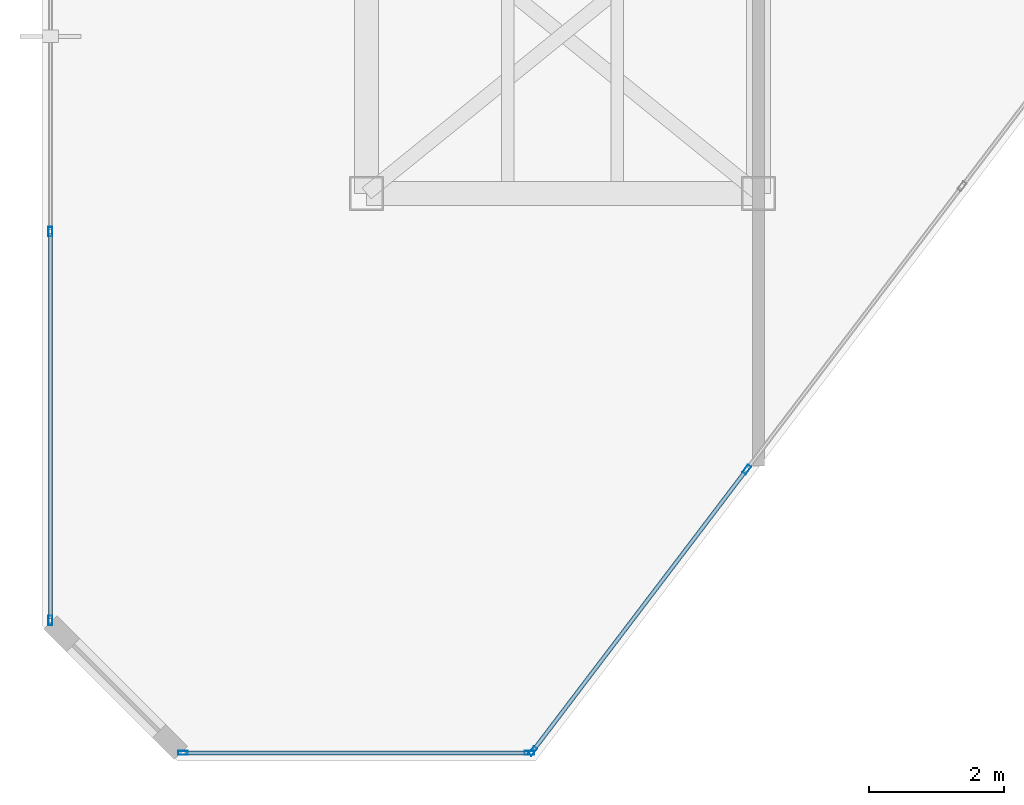
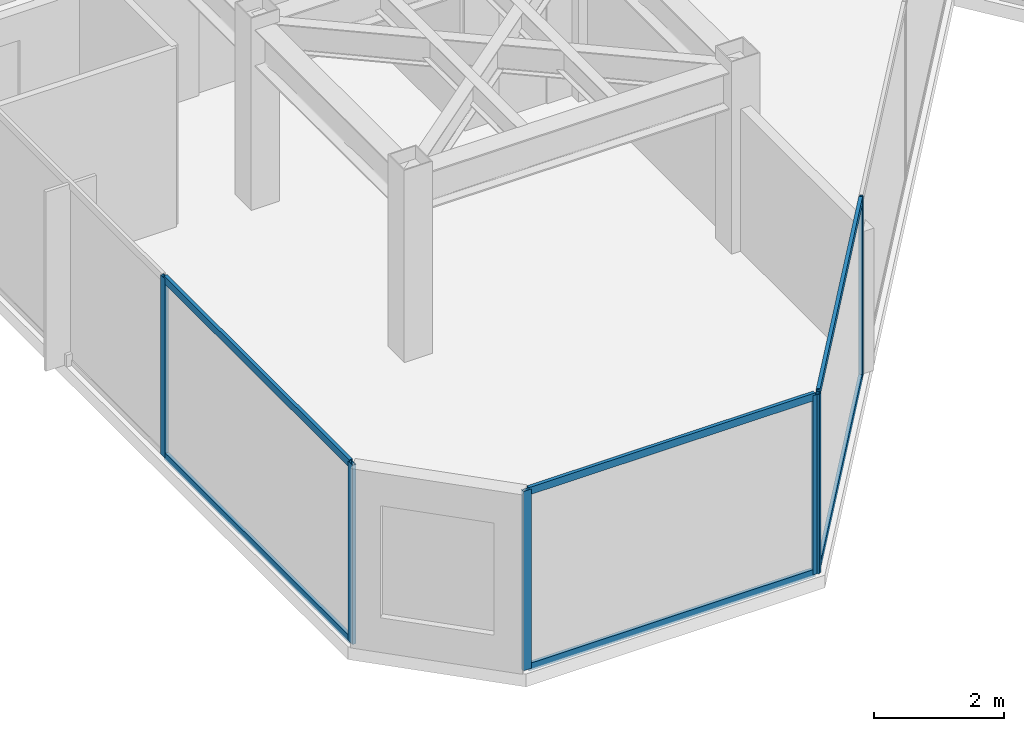
# One storey, part 2 of 19: 12 members, 3 elements without a shape of their own.
"""IFC4 building model written with IfcOpenShell, lengths in metres."""

from ifc_helpers import new_model, si_unit, direction, frame, origin, origin_2d, place, context, subcontext, project, spatial, hollow_rectangle, extrude, material, layer, layer_set, material_profile, profile_set, type_object, element, aggregate, save


model = new_model("IFC4")

# Units and contexts
model_context = context("Model", 3, precision=1e-05, world=origin(), true_north=direction((0.0, 1.0)))
body_context = subcontext(model_context, "Body", "Model", "MODEL_VIEW")
ifc_project = project(units=[si_unit("LENGTHUNIT", "METRE"), si_unit("AREAUNIT", "SQUARE_METRE"), si_unit("VOLUMEUNIT", "CUBIC_METRE"), si_unit("PLANEANGLEUNIT", "RADIAN"), si_unit("MASSUNIT", "GRAM", prefix="KILO")], contexts=[model_context])

# Site, building, storey
site_placement = place(None, origin())
site = spatial("IfcSite", under=ifc_project, at=site_placement, CompositionType="ELEMENT")
building_placement = place(site_placement, origin())
building = spatial("IfcBuilding", under=site, at=building_placement, Name="Kravanh Interchange Tower", CompositionType="ELEMENT")
storey_placement = place(building_placement, frame((0.0, 0.0, 267.0)))
storey = spatial("IfcBuildingStorey", under=building, at=storey_placement, Name="L65", CompositionType="ELEMENT", Elevation=267.0)

# Curtain wall, members
ifc_material_1 = material(Name="Anodised Bronze Aluminium", Category="aluminium")
ifc_layer = layer(ifc_material_1, 0.179931640625)
ifc_layer_set = layer_set([ifc_layer], Name="Unitised Curtain Wall System CW-HTL Luxury Hotel")
curtain_wall_type = type_object("IfcCurtainWallType", Name="Unitised Curtain Wall System CW-HTL Luxury Hotel", PredefinedType="NOTDEFINED", material=ifc_layer_set)
curtain_wall_1_placement = place(storey_placement, origin())
curtain_wall_1 = element("IfcCurtainWall", 1, at=curtain_wall_1_placement, inside=storey, type_object=curtain_wall_type, Name="L65 Unitised Curtain Wall CW-L65-01", PredefinedType="NOTDEFINED")
ifc_material_2 = material(Name="Anodised Bronze Aluminium", Category="aluminium")
ifc_material_profile_1 = material_profile(ifc_material_2, hollow_rectangle(XDim=0.06005859375, YDim=0.139892578125, WallThickness=0.00390625, at=origin_2d()), Name="ALU60X140X4")
ifc_profile_set_1 = profile_set([ifc_material_profile_1], Name="Anodised Bronze Aluminium")
member_type_1 = type_object("IfcMemberType", Name="Curtain Wall Mullion ALU60X140X4 Bronze", PredefinedType="MULLION", material=ifc_profile_set_1)
member_1_placement = place(storey_placement, frame((28.1201171875, 20.479736328125, 0.0), z_axis=(0.0, 0.0, 1.0), x_axis=(-1.0, 0.0, 0.0)))
member_1 = element("IfcMember", 2, at=member_1_placement, type_object=member_type_1, Name="CW-HTL mullion 1", PredefinedType="MULLION", context=body_context, shape_type="SweptSolid", body=[
    extrude(hollow_rectangle(XDim=0.06005859375, YDim=0.139892578125, WallThickness=0.00390625, at=origin_2d()), origin(), (0.0, 0.0, 1.0), 3.360107421875),
])
member_2_placement = place(storey_placement, frame((28.1201171875, 26.233154296875, 0.0), z_axis=(0.0, 0.0, 1.0), x_axis=(-1.0, 0.0, 0.0)))
member_2 = element("IfcMember", 3, at=member_2_placement, type_object=member_type_1, Name="CW-HTL mullion 2", PredefinedType="MULLION", context=body_context, shape_type="SweptSolid", body=[
    extrude(hollow_rectangle(XDim=0.06005859375, YDim=0.139892578125, WallThickness=0.00390625, at=origin_2d()), origin(), (0.0, 0.0, 1.0), 3.360107421875),
])

curtain_wall_2_placement = place(storey_placement, origin())
curtain_wall_2 = element("IfcCurtainWall", 4, at=curtain_wall_2_placement, inside=storey, type_object=curtain_wall_type, Name="L65 Unitised Curtain Wall CW-L65-05", PredefinedType="NOTDEFINED")
member_3_placement = place(storey_placement, frame((38.427001953125, 22.712646484375, 0.0), z_axis=(0.0, 0.0, 1.0), x_axis=(0.79616243806, -0.605082946564, 0.0)))
member_3 = element("IfcMember", 5, at=member_3_placement, type_object=member_type_1, Name="CW-HTL mullion 3", PredefinedType="MULLION", context=body_context, shape_type="SweptSolid", body=[
    extrude(hollow_rectangle(XDim=0.06005859375, YDim=0.139892578125, WallThickness=0.00390625, at=origin_2d()), origin(), (0.0, 0.0, 1.0), 3.360107421875),
])
member_4_placement = place(storey_placement, frame((35.258544921875, 18.5439453125, 0.0), z_axis=(0.0, 0.0, 1.0), x_axis=(0.79616243806, -0.605082946564, 0.0)))
member_4 = element("IfcMember", 6, at=member_4_placement, type_object=member_type_1, Name="CW-HTL mullion 4", PredefinedType="MULLION", context=body_context, shape_type="SweptSolid", body=[
    extrude(hollow_rectangle(XDim=0.06005859375, YDim=0.139892578125, WallThickness=0.00390625, at=origin_2d()), origin(), (0.0, 0.0, 1.0), 3.360107421875),
])

curtain_wall_3_placement = place(storey_placement, origin())
curtain_wall_3 = element("IfcCurtainWall", 7, at=curtain_wall_3_placement, inside=storey, type_object=curtain_wall_type, Name="L65 Unitised Curtain Wall CW-L65-06", PredefinedType="NOTDEFINED")
member_5_placement = place(storey_placement, frame((35.21044921875, 18.52001953125, 0.0), z_axis=(0.0, 0.0, 1.0), x_axis=(0.0, -1.0, 0.0)))
member_5 = element("IfcMember", 8, at=member_5_placement, type_object=member_type_1, Name="CW-HTL mullion 1", PredefinedType="MULLION", context=body_context, shape_type="SweptSolid", body=[
    extrude(hollow_rectangle(XDim=0.06005859375, YDim=0.139892578125, WallThickness=0.00390625, at=origin_2d()), origin(), (0.0, 0.0, 1.0), 3.360107421875),
])
member_6_placement = place(storey_placement, frame((30.07958984375, 18.52001953125, 0.0), z_axis=(0.0, 0.0, 1.0), x_axis=(0.0, -1.0, 0.0)))
member_6 = element("IfcMember", 9, at=member_6_placement, type_object=member_type_1, Name="CW-HTL mullion 2", PredefinedType="MULLION", context=body_context, shape_type="SweptSolid", body=[
    extrude(hollow_rectangle(XDim=0.06005859375, YDim=0.139892578125, WallThickness=0.00390625, at=origin_2d()), origin(), (0.0, 0.0, 1.0), 3.360107421875),
])

# Member
ifc_material_3 = material(Name="Anodised Bronze Aluminium", Category="aluminium")
ifc_material_profile_2 = material_profile(ifc_material_3, hollow_rectangle(XDim=0.06005859375, YDim=0.139892578125, WallThickness=0.00390625, at=origin_2d()), Name="ALU60X140X4")
ifc_profile_set_2 = profile_set([ifc_material_profile_2], Name="Anodised Bronze Aluminium")
member_type_2 = type_object("IfcMemberType", Name="Curtain Wall Transom ALU60X140X4 Bronze", PredefinedType="USERDEFINED", material=ifc_profile_set_2)
member_7_placement = place(storey_placement, frame((28.1201171875, 20.509765625, 0.030029296875), z_axis=(0.0, 1.0, 0.0), x_axis=(-1.0, 0.0, 0.0)))
member_7 = element("IfcMember", 10, at=member_7_placement, type_object=member_type_2, Name="CW-HTL transom 1.1", ObjectType="TRANSOM", PredefinedType="USERDEFINED", context=body_context, shape_type="SweptSolid", body=[
    extrude(hollow_rectangle(XDim=0.06005859375, YDim=0.139892578125, WallThickness=0.00390625, at=origin_2d()), origin(), (0.0, 0.0, 1.0), 5.693359375),
])

member_8_placement = place(storey_placement, frame((28.1201171875, 20.509765625, 3.330078125), z_axis=(0.0, 1.0, 0.0), x_axis=(-1.0, 0.0, 0.0)))
member_8 = element("IfcMember", 11, at=member_8_placement, type_object=member_type_2, Name="CW-HTL transom 1.2", ObjectType="TRANSOM", PredefinedType="USERDEFINED", context=body_context, shape_type="SweptSolid", body=[
    extrude(hollow_rectangle(XDim=0.06005859375, YDim=0.139892578125, WallThickness=0.00390625, at=origin_2d()), origin(), (0.0, 0.0, 1.0), 5.693359375),
])

aggregate(curtain_wall_1, [member_1, member_2, member_7, member_8])

member_9_placement = place(storey_placement, frame((38.408935546875, 22.68896484375, 0.030029296875), z_axis=(-0.605089246946, -0.796157649734, 0.0), x_axis=(0.796157649734, -0.605089246946, 0.0)))
member_9 = element("IfcMember", 12, at=member_9_placement, type_object=member_type_2, Name="CW-HTL transom 3.1", ObjectType="TRANSOM", PredefinedType="USERDEFINED", context=body_context, shape_type="SweptSolid", body=[
    extrude(hollow_rectangle(XDim=0.06005859375, YDim=0.139892578125, WallThickness=0.00390625, at=origin_2d()), origin(), (0.0, 0.0, 1.0), 5.17626953125),
])

member_10_placement = place(storey_placement, frame((38.408935546875, 22.68896484375, 3.330078125), z_axis=(-0.605089246946, -0.796157649734, 0.0), x_axis=(0.796157649734, -0.605089246946, 0.0)))
member_10 = element("IfcMember", 13, at=member_10_placement, type_object=member_type_2, Name="CW-HTL transom 3.2", ObjectType="TRANSOM", PredefinedType="USERDEFINED", context=body_context, shape_type="SweptSolid", body=[
    extrude(hollow_rectangle(XDim=0.06005859375, YDim=0.139892578125, WallThickness=0.00390625, at=origin_2d()), origin(), (0.0, 0.0, 1.0), 5.17626953125),
])

aggregate(curtain_wall_2, [member_3, member_4, member_9, member_10])

member_11_placement = place(storey_placement, frame((35.180419921875, 18.52001953125, 0.030029296875), z_axis=(-1.0, 0.0, 0.0), x_axis=(0.0, -1.0, 0.0)))
member_11 = element("IfcMember", 14, at=member_11_placement, type_object=member_type_2, Name="CW-HTL transom 1.1", ObjectType="TRANSOM", PredefinedType="USERDEFINED", context=body_context, shape_type="SweptSolid", body=[
    extrude(hollow_rectangle(XDim=0.06005859375, YDim=0.139892578125, WallThickness=0.00390625, at=origin_2d()), origin(), (0.0, 0.0, 1.0), 5.07080078125),
])

member_12_placement = place(storey_placement, frame((35.180419921875, 18.52001953125, 3.330078125), z_axis=(-1.0, 0.0, 0.0), x_axis=(0.0, -1.0, 0.0)))
member_12 = element("IfcMember", 15, at=member_12_placement, type_object=member_type_2, Name="CW-HTL transom 1.2", ObjectType="TRANSOM", PredefinedType="USERDEFINED", context=body_context, shape_type="SweptSolid", body=[
    extrude(hollow_rectangle(XDim=0.06005859375, YDim=0.139892578125, WallThickness=0.00390625, at=origin_2d()), origin(), (0.0, 0.0, 1.0), 5.07080078125),
])

aggregate(curtain_wall_3, [member_5, member_6, member_11, member_12])

save(model, "model.ifc")
